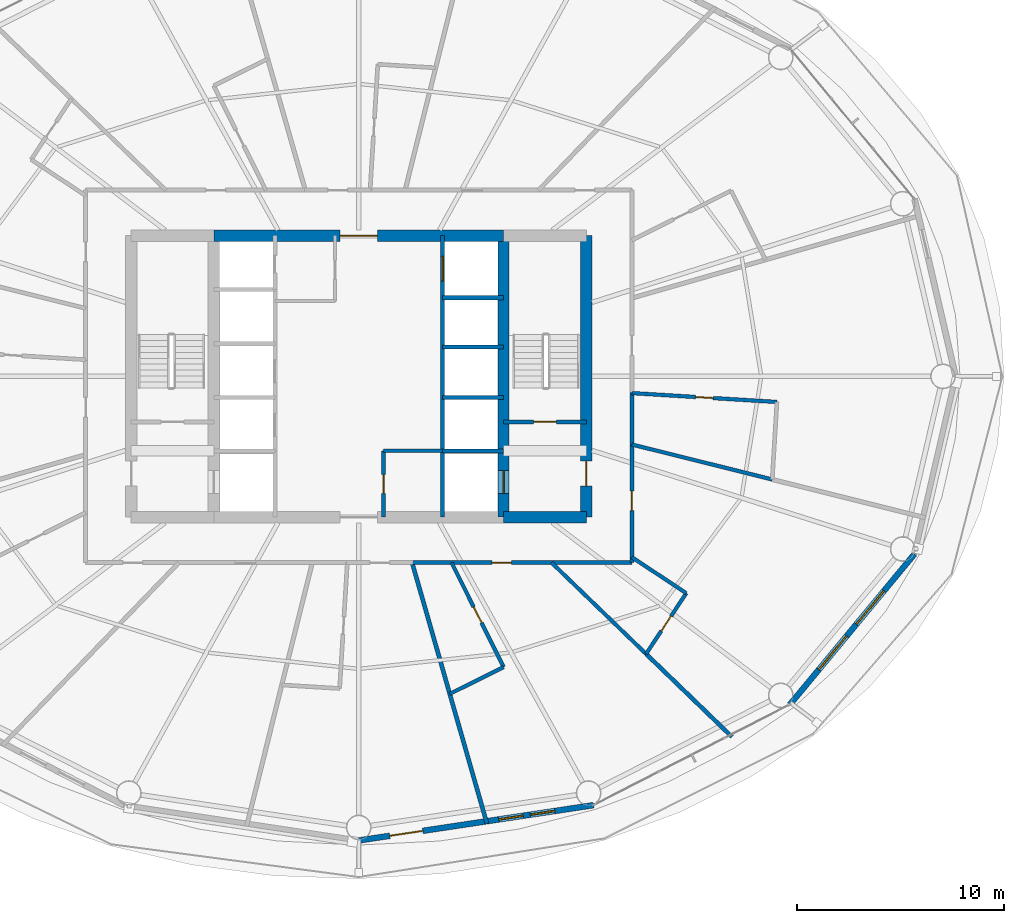
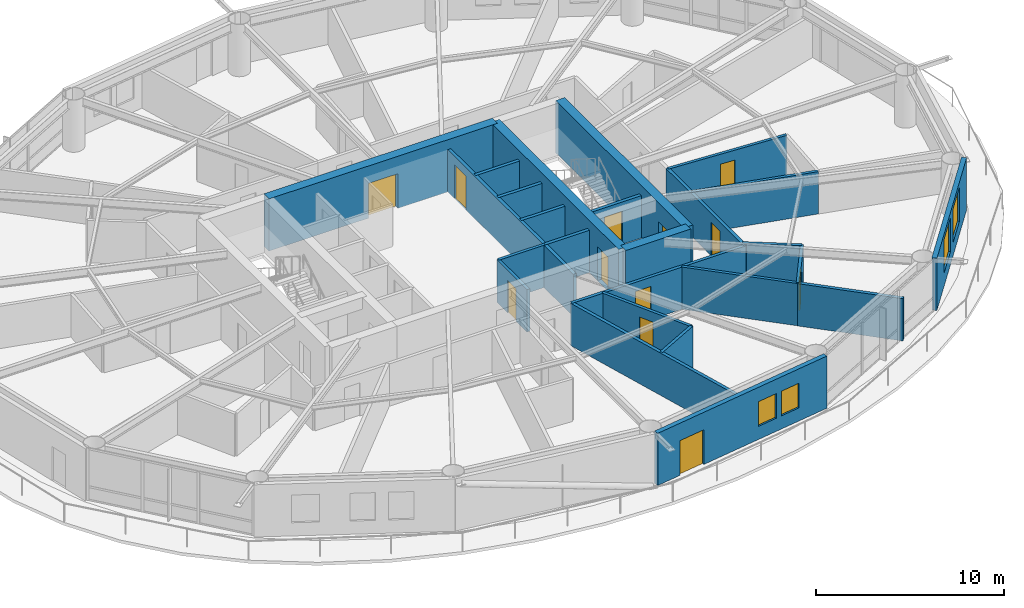
# One storey, part 19 of 24: 26 walls, 12 doors, 4 windows, 16 openings.
"""IFC4 building model written with IfcOpenShell, lengths in metres."""

from ifc_helpers import new_model, si_unit, direction, frame, frame_2d, origin, place, context, subcontext, project, spatial, rectangle, extrude, material, layer, layer_set, type_object, element, fill, save


model = new_model("IFC4")

# Units and contexts
model_context = context("Model", 3, precision=1e-05, world=origin(), true_north=direction((0.0, 1.0)))
body_context = subcontext(model_context, "Body", "Model", "MODEL_VIEW")
ifc_project = project(units=[si_unit("LENGTHUNIT", "METRE"), si_unit("AREAUNIT", "SQUARE_METRE"), si_unit("VOLUMEUNIT", "CUBIC_METRE"), si_unit("PLANEANGLEUNIT", "RADIAN"), si_unit("MASSUNIT", "GRAM", prefix="KILO")], contexts=[model_context])

# Site, building, storey
site_placement = place(None, origin())
site = spatial("IfcSite", under=ifc_project, at=site_placement, CompositionType="ELEMENT")
building_placement = place(site_placement, origin())
building = spatial("IfcBuilding", under=site, at=building_placement, Name="Sarneth Arch Tower", CompositionType="ELEMENT")
storey_placement = place(building_placement, frame((0.0, 0.0, 102.0)))
storey = spatial("IfcBuildingStorey", under=building, at=storey_placement, Name="L25", CompositionType="ELEMENT", Elevation=102.0)

# Wall
ifc_material_1 = material(Name="Concrete C60/75", Category="concrete")
ifc_layer_1 = layer(ifc_material_1, 0.550048828125)
ifc_layer_set_1 = layer_set([ifc_layer_1], Name="Concrete C60/75")
wall_type_1 = type_object("IfcWallType", Name="WALL-CORE-550", PredefinedType="SHEAR", material=ifc_layer_set_1)
wall_1_placement = place(storey_placement, frame((55.0, 35.199951171875, 0.0), z_axis=(0.0, 0.0, 1.0), x_axis=(1.0, 0.0, 0.0)))
element("IfcWall", 1, at=wall_1_placement, inside=storey, type_object=wall_type_1, Name="L25 Core shear wall S-E", PredefinedType="SHEAR", context=body_context, shape_type="SweptSolid", body=[
    extrude(rectangle(XDim=4.0, YDim=0.550048828125, at=frame_2d((2.0, 0.0))), origin(), (0.0, 0.0, 1.0), 3.3798828125),
])

# Wall, opening, door
wall_2_placement = place(storey_placement, frame((41.0, 48.800048828125, 0.0), z_axis=(0.0, 0.0, 1.0), x_axis=(1.0, 0.0, 0.0)))
wall_2 = element("IfcWall", 2, at=wall_2_placement, inside=storey, type_object=wall_type_1, Name="L25 Core shear wall N-M", PredefinedType="SHEAR", context=body_context, shape_type="SweptSolid", body=[
    extrude(rectangle(XDim=14.0, YDim=0.550048828125, at=frame_2d((7.0, 0.0))), origin(), (0.0, 0.0, 1.0), 3.3798828125),
])
opening_1_placement = place(wall_2_placement, frame((6.10009765625, 0.0, 0.0)))
opening_1 = element("IfcOpeningElement", 3, at=opening_1_placement, cuts=wall_2, Name="Opening FD-01", PredefinedType="OPENING", context=body_context, shape_type="SweptSolid", body=[
    extrude(rectangle(XDim=1.800048828125, YDim=2.25, at=frame_2d((0.89990234375, 1.125))), frame((0.0, 0.284912109375, 0.0), z_axis=(0.0, -1.0, 0.0), x_axis=(1.0, 0.0, 0.0)), (0.0, 0.0, 1.0), 0.570068359375),
])
ifc_material_2 = material(Name="Galvanised Steel S275 fire door set", Category="steel")
door_type_1 = type_object("IfcDoorType", Name="DR-FD90-1800", OperationType="DOUBLE_DOOR_SINGLE_SWING", PredefinedType="DOOR", material=ifc_material_2)
door_1_placement = place(opening_1_placement, origin())
door_1 = element("IfcDoor", 4, at=door_1_placement, inside=storey, type_object=door_type_1, Name="L25 Central lift lobby north door", OperationType="DOUBLE_DOOR_SINGLE_SWING", OverallHeight=2.25, OverallWidth=1.800048828125, PredefinedType="DOOR", context=body_context, shape_type="SweptSolid", body=[
    extrude(rectangle(XDim=1.800048828125, YDim=2.25, at=frame_2d((0.89990234375, 1.125))), frame((0.0, 0.02490234375, 0.0), z_axis=(0.0, -1.0, 0.0), x_axis=(1.0, 0.0, 0.0)), (0.0, 0.0, 1.0), 0.050048828125),
])
fill(opening_1, door_1)

wall_3_placement = place(storey_placement, frame((59.0, 35.199951171875, 0.0), z_axis=(0.0, 0.0, 1.0), x_axis=(0.0, 1.0, 0.0)))
wall_3 = element("IfcWall", 5, at=wall_3_placement, inside=storey, type_object=wall_type_1, Name="L25 Core shear wall E", PredefinedType="SHEAR", context=body_context, shape_type="SweptSolid", body=[
    extrude(rectangle(XDim=13.60009765625, YDim=0.550048828125, at=frame_2d((6.800048828125, 0.0))), origin(), (0.0, 0.0, 1.0), 3.3798828125),
])
opening_2_placement = place(wall_3_placement, frame((1.5, 0.0, 0.0)))
opening_2 = element("IfcOpeningElement", 6, at=opening_2_placement, cuts=wall_3, Name="Opening FD-02", PredefinedType="OPENING", context=body_context, shape_type="SweptSolid", body=[
    extrude(rectangle(XDim=1.199951171875, YDim=2.14990234375, at=frame_2d((0.60009765625, 1.074951171875))), frame((0.0, 0.284912109375, 0.0), z_axis=(0.0, -1.0, 0.0), x_axis=(1.0, 0.0, 0.0)), (0.0, 0.0, 1.0), 0.570068359375),
])
ifc_material_3 = material(Name="Galvanised Steel S275 fire door set", Category="steel")
door_type_2 = type_object("IfcDoorType", Name="DR-FD90-1200", OperationType="SINGLE_SWING_LEFT", PredefinedType="DOOR", material=ifc_material_3)
door_2_placement = place(opening_2_placement, origin())
door_2 = element("IfcDoor", 7, at=door_2_placement, inside=storey, type_object=door_type_2, Name="L25 Firefighting lobby 2 exit door", OperationType="SINGLE_SWING_RIGHT", OverallHeight=2.14990234375, OverallWidth=1.199951171875, PredefinedType="DOOR", context=body_context, shape_type="SweptSolid", body=[
    extrude(rectangle(XDim=1.199951171875, YDim=2.14990234375, at=frame_2d((0.60009765625, 1.074951171875))), frame((0.0, 0.02490234375, 0.0), z_axis=(0.0, -1.0, 0.0), x_axis=(1.0, 0.0, 0.0)), (0.0, 0.0, 1.0), 0.050048828125),
])
fill(opening_2, door_2)

wall_4_placement = place(storey_placement, frame((55.0, 35.199951171875, 0.0), z_axis=(0.0, 0.0, 1.0), x_axis=(0.0, 1.0, 0.0)))
wall_4 = element("IfcWall", 8, at=wall_4_placement, inside=storey, type_object=wall_type_1, Name="L25 Core shear wall WEB-E", PredefinedType="SHEAR", context=body_context, shape_type="SweptSolid", body=[
    extrude(rectangle(XDim=13.60009765625, YDim=0.550048828125, at=frame_2d((6.800048828125, 0.0))), origin(), (0.0, 0.0, 1.0), 3.3798828125),
])
opening_3_placement = place(wall_4_placement, frame((1.14990234375, 0.0, 0.0)))
opening_3 = element("IfcOpeningElement", 9, at=opening_3_placement, cuts=wall_4, Name="Opening LD-1", PredefinedType="OPENING", context=body_context, shape_type="SweptSolid", body=[
    extrude(rectangle(XDim=1.10009765625, YDim=2.199951171875, at=frame_2d((0.550048828125, 1.10009765625))), frame((0.0, 0.284912109375, 0.0), z_axis=(0.0, -1.0, 0.0), x_axis=(1.0, 0.0, 0.0)), (0.0, 0.0, 1.0), 0.570068359375),
])
ifc_material_4 = material(Name="Brushed Stainless Steel 304 lift landing door", Category="steel")
door_type_3 = type_object("IfcDoorType", Name="DR-LIFT-SLIDE-1100", OperationType="SLIDING_TO_LEFT", PredefinedType="DOOR", material=ifc_material_4)
door_3_placement = place(opening_3_placement, origin())
door_3 = element("IfcDoor", 10, at=door_3_placement, inside=storey, type_object=door_type_3, Name="L25 Firefighting lift landing door FL-2", OperationType="SLIDING_TO_RIGHT", OverallHeight=2.199951171875, OverallWidth=1.10009765625, PredefinedType="DOOR", context=body_context, shape_type="SweptSolid", body=[
    extrude(rectangle(XDim=1.10009765625, YDim=2.199951171875, at=frame_2d((0.550048828125, 1.10009765625))), frame((0.0, 0.02490234375, 0.0), z_axis=(0.0, -1.0, 0.0), x_axis=(1.0, 0.0, 0.0)), (0.0, 0.0, 1.0), 0.050048828125),
])
fill(opening_3, door_3)

ifc_material_5 = material(Name="Double steel-stud corridor fire wall", Category="steel")
ifc_layer_2 = layer(ifc_material_5, 0.18994140625)
ifc_layer_set_2 = layer_set([ifc_layer_2], Name="Double steel-stud corridor fire wall")
wall_type_2 = type_object("IfcWallType", Name="WALL-CORR-190", PredefinedType="PARTITIONING", material=ifc_layer_set_2)
wall_5_placement = place(storey_placement, frame((61.199951171875, 41.224853515625, 0.0), z_axis=(0.0, 0.0, 1.0), x_axis=(0.0, -1.0, 0.0)))
wall_5 = element("IfcWall", 11, at=wall_5_placement, inside=storey, type_object=wall_type_2, Name="L25 Interior partition W-L25-TP-022", PredefinedType="PARTITIONING", context=body_context, shape_type="SweptSolid", body=[
    extrude(rectangle(XDim=8.224853515625, YDim=0.18994140625, at=frame_2d((4.1123046875, 0.0))), origin(), (0.0, 0.0, 1.0), 2.739990234375),
])
opening_4_placement = place(wall_5_placement, frame((4.7666015625, 0.0, 0.0)))
opening_4 = element("IfcOpeningElement", 12, at=opening_4_placement, cuts=wall_5, Name="Opening FD-09", PredefinedType="OPENING", context=body_context, shape_type="SweptSolid", body=[
    extrude(rectangle(XDim=0.949951171875, YDim=2.14990234375, at=frame_2d((0.47509765625, 1.074951171875))), frame((0.0, 0.10498046875, 0.0), z_axis=(0.0, -1.0, 0.0), x_axis=(1.0, 0.0, 0.0)), (0.0, 0.0, 1.0), 0.2099609375),
])
ifc_material_6 = material(Name="Hardwood timber hotel entrance fire door", Category="wood")
door_type_4 = type_object("IfcDoorType", Name="DR-FD60-950", OperationType="SINGLE_SWING_RIGHT", PredefinedType="DOOR", material=ifc_material_6)
door_4_placement = place(opening_4_placement, origin())
door_4 = element("IfcDoor", 13, at=door_4_placement, inside=storey, type_object=door_type_4, Name="L25 Interior door DR-L25-KEY-11", OperationType="SINGLE_SWING_RIGHT", OverallHeight=2.14990234375, OverallWidth=0.949951171875, PredefinedType="DOOR", context=body_context, shape_type="SweptSolid", body=[
    extrude(rectangle(XDim=0.949951171875, YDim=2.14990234375, at=frame_2d((0.47509765625, 1.074951171875))), frame((0.0, 0.02490234375, 0.0), z_axis=(0.0, -1.0, 0.0), x_axis=(1.0, 0.0, 0.0)), (0.0, 0.0, 1.0), 0.050048828125),
])
fill(opening_4, door_4)

wall_6_placement = place(storey_placement, frame((61.199951171875, 33.0, 0.0), z_axis=(0.0, 0.0, 1.0), x_axis=(-1.0, 0.0, 0.0)))
wall_6 = element("IfcWall", 14, at=wall_6_placement, inside=storey, type_object=wall_type_2, Name="L25 Interior partition W-L25-TP-020", PredefinedType="PARTITIONING", context=body_context, shape_type="SweptSolid", body=[
    extrude(rectangle(XDim=10.652587890625, YDim=0.18994140625, at=frame_2d((5.326171875, 0.0))), origin(), (0.0, 0.0, 1.0), 2.739990234375),
])
opening_5_placement = place(wall_6_placement, frame((5.81640625, 0.0, 0.0)))
opening_5 = element("IfcOpeningElement", 15, at=opening_5_placement, cuts=wall_6, Name="Opening FD-09", PredefinedType="OPENING", context=body_context, shape_type="SweptSolid", body=[
    extrude(rectangle(XDim=0.949951171875, YDim=2.14990234375, at=frame_2d((0.47509765625, 1.074951171875))), frame((0.0, 0.10498046875, 0.0), z_axis=(0.0, -1.0, 0.0), x_axis=(1.0, 0.0, 0.0)), (0.0, 0.0, 1.0), 0.2099609375),
])
door_5_placement = place(opening_5_placement, origin())
door_5 = element("IfcDoor", 16, at=door_5_placement, inside=storey, type_object=door_type_4, Name="L25 Interior door DR-L25-KEY-10", OperationType="SINGLE_SWING_RIGHT", OverallHeight=2.14990234375, OverallWidth=0.949951171875, PredefinedType="DOOR", context=body_context, shape_type="SweptSolid", body=[
    extrude(rectangle(XDim=0.949951171875, YDim=2.14990234375, at=frame_2d((0.47509765625, 1.074951171875))), frame((0.0, 0.02490234375, 0.0), z_axis=(0.0, -1.0, 0.0), x_axis=(1.0, 0.0, 0.0)), (0.0, 0.0, 1.0), 0.050048828125),
])
fill(opening_5, door_5)

# Wall, openings, door, windows
ifc_material_7 = material(Name="Extruded terracotta rainscreen on Concrete C40/50 backing", Category="masonry")
ifc_layer_3 = layer(ifc_material_7, 0.280029296875)
ifc_layer_set_3 = layer_set([ifc_layer_3], Name="Extruded terracotta rainscreen on Concrete C40/50 backing")
wall_type_3 = type_object("IfcWallType", Name="WALL-EXT-TERRA-280", PredefinedType="SOLIDWALL", material=ifc_layer_set_3)
wall_7_placement = place(storey_placement, frame((48.0, 19.570068359375, 0.0), z_axis=(0.0, 0.0, 1.0), x_axis=(0.988877774656, 0.148730450117, 0.0)))
wall_7 = element("IfcWall", 17, at=wall_7_placement, inside=storey, type_object=wall_type_3, Name="L25 Terracotta perimeter wall 13", PredefinedType="SOLIDWALL", context=body_context, shape_type="SweptSolid", body=[
    extrude(rectangle(XDim=11.47900390625, YDim=0.280029296875, at=frame_2d((5.739501953125, 0.0))), origin(), (0.0, 0.0, 1.0), 3.3798828125),
])
opening_6_placement = place(wall_7_placement, frame((1.523681640625, 0.0, 0.0)))
opening_6 = element("IfcOpeningElement", 18, at=opening_6_placement, cuts=wall_7, Name="Opening BD-1", PredefinedType="OPENING", context=body_context, shape_type="SweptSolid", body=[
    extrude(rectangle(XDim=1.60009765625, YDim=2.25, at=frame_2d((0.800048828125, 1.125))), frame((0.0, 0.14990234375, 0.0), z_axis=(0.0, -1.0, 0.0), x_axis=(1.0, 0.0, 0.0)), (0.0, 0.0, 1.0), 0.300048828125),
])
opening_7_placement = place(wall_7_placement, frame((6.843017578125, 0.0, 0.85009765625)))
opening_7 = element("IfcOpeningElement", 19, at=opening_7_placement, cuts=wall_7, Name="Opening W-10", PredefinedType="OPENING", context=body_context, shape_type="SweptSolid", body=[
    extrude(rectangle(XDim=1.199951171875, YDim=1.60009765625, at=frame_2d((0.60009765625, 0.800048828125))), frame((0.0, 0.14990234375, 0.0), z_axis=(0.0, -1.0, 0.0), x_axis=(1.0, 0.0, 0.0)), (0.0, 0.0, 1.0), 0.300048828125),
])
opening_8_placement = place(wall_7_placement, frame((8.385009765625, 0.0, 0.85009765625)))
opening_8 = element("IfcOpeningElement", 20, at=opening_8_placement, cuts=wall_7, Name="Opening W-10", PredefinedType="OPENING", context=body_context, shape_type="SweptSolid", body=[
    extrude(rectangle(XDim=1.199951171875, YDim=1.60009765625, at=frame_2d((0.60009765625, 0.800048828125))), frame((0.0, 0.14990234375, 0.0), z_axis=(0.0, -1.0, 0.0), x_axis=(1.0, 0.0, 0.0)), (0.0, 0.0, 1.0), 0.300048828125),
])
ifc_material_8 = material(Name="Thermally broken Aluminium 6063-T6 and laminated safety glass", Category="aluminium")
door_type_5 = type_object("IfcDoorType", Name="DR-BALC-GLZ-1600", OperationType="DOUBLE_DOOR_SINGLE_SWING", PredefinedType="DOOR", material=ifc_material_8)
door_6_placement = place(opening_6_placement, origin())
door_6 = element("IfcDoor", 21, at=door_6_placement, inside=storey, type_object=door_type_5, Name="L25 Balcony glazed door 13", OperationType="DOUBLE_DOOR_SINGLE_SWING", OverallHeight=2.25, OverallWidth=1.60009765625, PredefinedType="DOOR", context=body_context, shape_type="SweptSolid", body=[
    extrude(rectangle(XDim=1.60009765625, YDim=2.25, at=frame_2d((0.800048828125, 1.125))), frame((0.0, 0.02490234375, 0.0), z_axis=(0.0, -1.0, 0.0), x_axis=(1.0, 0.0, 0.0)), (0.0, 0.0, 1.0), 0.050048828125),
])
fill(opening_6, door_6)
ifc_material_9 = material(Name="Thermally broken Aluminium 6063-T6 and low-e laminated IGU", Category="aluminium")
window_type_1 = type_object("IfcWindowType", Name="WIN-TWR-1200x1600", PartitioningType="SINGLE_PANEL", PredefinedType="WINDOW", material=ifc_material_9)
window_1_placement = place(opening_7_placement, origin())
window_1 = element("IfcWindow", 22, at=window_1_placement, inside=storey, type_object=window_type_1, Name="L25 Exterior window 13A", OverallHeight=1.60009765625, OverallWidth=1.199951171875, PartitioningType="SINGLE_PANEL", PredefinedType="WINDOW", context=body_context, shape_type="SweptSolid", body=[
    extrude(rectangle(XDim=1.199951171875, YDim=1.60009765625, at=frame_2d((0.60009765625, 0.800048828125))), frame((0.0, 0.030029296875, 0.0), z_axis=(0.0, -1.0, 0.0), x_axis=(1.0, 0.0, 0.0)), (0.0, 0.0, 1.0), 0.06005859375),
])
fill(opening_7, window_1)
window_2_placement = place(opening_8_placement, origin())
window_2 = element("IfcWindow", 23, at=window_2_placement, inside=storey, type_object=window_type_1, Name="L25 Exterior window 13B", OverallHeight=1.60009765625, OverallWidth=1.199951171875, PartitioningType="SINGLE_PANEL", PredefinedType="WINDOW", context=body_context, shape_type="SweptSolid", body=[
    extrude(rectangle(XDim=1.199951171875, YDim=1.60009765625, at=frame_2d((0.60009765625, 0.800048828125))), frame((0.0, 0.030029296875, 0.0), z_axis=(0.0, -1.0, 0.0), x_axis=(1.0, 0.0, 0.0)), (0.0, 0.0, 1.0), 0.06005859375),
])
fill(opening_8, window_2)

# Wall, openings, windows
wall_8_placement = place(storey_placement, frame((68.840087890625, 26.1396484375, 0.0), z_axis=(0.0, 0.0, 1.0), x_axis=(0.637505817448, 0.770445541696, 0.0)))
wall_8 = element("IfcWall", 24, at=wall_8_placement, inside=storey, type_object=wall_type_3, Name="L25 Terracotta perimeter wall 15", PredefinedType="SOLIDWALL", context=body_context, shape_type="SweptSolid", body=[
    extrude(rectangle(XDim=9.445068359375, YDim=0.280029296875, at=frame_2d((4.72265625, 0.0))), origin(), (0.0, 0.0, 1.0), 3.3798828125),
])
opening_9_placement = place(wall_8_placement, frame((2.196533203125, 0.0, 0.85009765625)))
opening_9 = element("IfcOpeningElement", 25, at=opening_9_placement, cuts=wall_8, Name="Opening W-03", PredefinedType="OPENING", context=body_context, shape_type="SweptSolid", body=[
    extrude(rectangle(XDim=2.10009765625, YDim=2.199951171875, at=frame_2d((1.050048828125, 1.10009765625))), frame((0.0, 0.14990234375, 0.0), z_axis=(0.0, -1.0, 0.0), x_axis=(1.0, 0.0, 0.0)), (0.0, 0.0, 1.0), 0.300048828125),
])
opening_10_placement = place(wall_8_placement, frame((5.031982421875, 0.0, 0.85009765625)))
opening_10 = element("IfcOpeningElement", 26, at=opening_10_placement, cuts=wall_8, Name="Opening W-03", PredefinedType="OPENING", context=body_context, shape_type="SweptSolid", body=[
    extrude(rectangle(XDim=2.10009765625, YDim=2.199951171875, at=frame_2d((1.050048828125, 1.10009765625))), frame((0.0, 0.14990234375, 0.0), z_axis=(0.0, -1.0, 0.0), x_axis=(1.0, 0.0, 0.0)), (0.0, 0.0, 1.0), 0.300048828125),
])
ifc_material_10 = material(Name="Thermally broken Aluminium 6063-T6 and low-e laminated IGU", Category="aluminium")
window_type_2 = type_object("IfcWindowType", Name="WIN-TWR-2100x2200", PartitioningType="DOUBLE_PANEL_VERTICAL", PredefinedType="WINDOW", material=ifc_material_10)
window_3_placement = place(opening_9_placement, origin())
window_3 = element("IfcWindow", 27, at=window_3_placement, inside=storey, type_object=window_type_2, Name="L25 Exterior window 15A", OverallHeight=2.199951171875, OverallWidth=2.10009765625, PartitioningType="SINGLE_PANEL", PredefinedType="WINDOW", context=body_context, shape_type="SweptSolid", body=[
    extrude(rectangle(XDim=2.10009765625, YDim=2.199951171875, at=frame_2d((1.050048828125, 1.10009765625))), frame((0.0, 0.030029296875, 0.0), z_axis=(0.0, -1.0, 0.0), x_axis=(1.0, 0.0, 0.0)), (0.0, 0.0, 1.0), 0.06005859375),
])
fill(opening_9, window_3)
window_4_placement = place(opening_10_placement, origin())
window_4 = element("IfcWindow", 28, at=window_4_placement, inside=storey, type_object=window_type_2, Name="L25 Exterior window 15B", OverallHeight=2.199951171875, OverallWidth=2.10009765625, PartitioningType="SINGLE_PANEL", PredefinedType="WINDOW", context=body_context, shape_type="SweptSolid", body=[
    extrude(rectangle(XDim=2.10009765625, YDim=2.199951171875, at=frame_2d((1.050048828125, 1.10009765625))), frame((0.0, 0.030029296875, 0.0), z_axis=(0.0, -1.0, 0.0), x_axis=(1.0, 0.0, 0.0)), (0.0, 0.0, 1.0), 0.06005859375),
])
fill(opening_10, window_4)

# Wall
ifc_material_11 = material(Name="Moisture-resistant plumbing chase wall", Category="gypsum")
ifc_layer_4 = layer(ifc_material_11, 0.179931640625)
ifc_layer_set_4 = layer_set([ifc_layer_4], Name="Moisture-resistant plumbing chase wall")
wall_type_4 = type_object("IfcWallType", Name="WALL-PLUMB-180", PredefinedType="PLUMBINGWALL", material=ifc_layer_set_4)
wall_9_placement = place(storey_placement, frame((49.199951171875, 38.39990234375, 0.0), z_axis=(0.0, 0.0, 1.0), x_axis=(1.0, 0.0, 0.0)))
element("IfcWall", 29, at=wall_9_placement, inside=storey, type_object=wall_type_4, Name="L25 Interior partition W-L25-AWC-N", PredefinedType="PLUMBINGWALL", context=body_context, shape_type="SweptSolid", body=[
    extrude(rectangle(XDim=2.85009765625, YDim=0.179931640625, at=frame_2d((1.425048828125, 0.0))), origin(), (0.0, 0.0, 1.0), 2.739990234375),
])

# Wall, opening, door
wall_10_placement = place(storey_placement, frame((49.199951171875, 35.199951171875, 0.0), z_axis=(0.0, 0.0, 1.0), x_axis=(0.0, 1.0, 0.0)))
wall_10 = element("IfcWall", 30, at=wall_10_placement, inside=storey, type_object=wall_type_4, Name="L25 Interior partition W-L25-AWC-W", PredefinedType="PLUMBINGWALL", context=body_context, shape_type="SweptSolid", body=[
    extrude(rectangle(XDim=3.199951171875, YDim=0.179931640625, at=frame_2d((1.60009765625, 0.0))), origin(), (0.0, 0.0, 1.0), 2.739990234375),
])
opening_11_placement = place(wall_10_placement, frame((1.14990234375, 0.0, 0.0)))
opening_11 = element("IfcOpeningElement", 31, at=opening_11_placement, cuts=wall_10, Name="Opening ID-01", PredefinedType="OPENING", context=body_context, shape_type="SweptSolid", body=[
    extrude(rectangle(XDim=0.89990234375, YDim=2.10009765625, at=frame_2d((0.449951171875, 1.050048828125))), frame((0.0, 0.099853515625, 0.0), z_axis=(0.0, -1.0, 0.0), x_axis=(1.0, 0.0, 0.0)), (0.0, 0.0, 1.0), 0.199951171875),
])
ifc_material_12 = material(Name="Engineered hardwood flush door", Category="wood")
door_type_6 = type_object("IfcDoorType", Name="DR-INT-900", OperationType="SINGLE_SWING_LEFT", PredefinedType="DOOR", material=ifc_material_12)
door_7_placement = place(opening_11_placement, origin())
door_7 = element("IfcDoor", 32, at=door_7_placement, inside=storey, type_object=door_type_6, Name="L25 Interior door DR-L25-AWC", OperationType="SINGLE_SWING_RIGHT", OverallHeight=2.10009765625, OverallWidth=0.89990234375, PredefinedType="DOOR", context=body_context, shape_type="SweptSolid", body=[
    extrude(rectangle(XDim=0.89990234375, YDim=2.10009765625, at=frame_2d((0.449951171875, 1.050048828125))), frame((0.0, 0.02490234375, 0.0), z_axis=(0.0, -1.0, 0.0), x_axis=(1.0, 0.0, 0.0)), (0.0, 0.0, 1.0), 0.050048828125),
])
fill(opening_11, door_7)

wall_11_placement = place(storey_placement, frame((61.199951171875, 41.192626953125, 0.0), z_axis=(0.0, 0.0, 1.0), x_axis=(0.998134708281, -0.061050013314, 0.0)))
wall_11 = element("IfcWall", 33, at=wall_11_placement, inside=storey, type_object=wall_type_4, Name="L25 Interior partition W-L25-TP-067", PredefinedType="PLUMBINGWALL", context=body_context, shape_type="SweptSolid", body=[
    extrude(rectangle(XDim=7.0263671875, YDim=0.179931640625, at=frame_2d((3.51318359375, 0.0))), origin(), (0.0, 0.0, 1.0), 2.739990234375),
])
opening_12_placement = place(wall_11_placement, frame((3.088134765625, 0.0, 0.0)))
opening_12 = element("IfcOpeningElement", 34, at=opening_12_placement, cuts=wall_11, Name="Opening ID-02", PredefinedType="OPENING", context=body_context, shape_type="SweptSolid", body=[
    extrude(rectangle(XDim=0.85009765625, YDim=2.10009765625, at=frame_2d((0.425048828125, 1.050048828125))), frame((0.0, 0.099853515625, 0.0), z_axis=(0.0, -1.0, 0.0), x_axis=(1.0, 0.0, 0.0)), (0.0, 0.0, 1.0), 0.199951171875),
])
ifc_material_13 = material(Name="Moisture-resistant bathroom timber door", Category="wood")
door_type_7 = type_object("IfcDoorType", Name="DR-INT-850", OperationType="SINGLE_SWING_RIGHT", PredefinedType="DOOR", material=ifc_material_13)
door_8_placement = place(opening_12_placement, origin())
door_8 = element("IfcDoor", 35, at=door_8_placement, inside=storey, type_object=door_type_7, Name="L25 Interior door DR-L25-ENS-12", OperationType="SINGLE_SWING_LEFT", OverallHeight=2.10009765625, OverallWidth=0.85009765625, PredefinedType="DOOR", context=body_context, shape_type="SweptSolid", body=[
    extrude(rectangle(XDim=0.85009765625, YDim=2.10009765625, at=frame_2d((0.425048828125, 1.050048828125))), frame((0.0, 0.02490234375, 0.0), z_axis=(0.0, -1.0, 0.0), x_axis=(1.0, 0.0, 0.0)), (0.0, 0.0, 1.0), 0.050048828125),
])
fill(opening_12, door_8)

# Walls
wall_12_placement = place(storey_placement, frame((67.984130859375, 37.017333984375, 0.0), z_axis=(0.0, 0.0, 1.0), x_axis=(-0.970290206094, 0.241944034764, 0.0)))
element("IfcWall", 36, at=wall_12_placement, inside=storey, type_object=wall_type_4, Name="L25 Interior partition W-L25-TP-066", PredefinedType="PLUMBINGWALL", context=body_context, shape_type="SweptSolid", body=[
    extrude(rectangle(XDim=6.991943359375, YDim=0.179931640625, at=frame_2d((3.49609375, 0.0))), origin(), (0.0, 0.0, 1.0), 2.739990234375),
])
wall_13_placement = place(storey_placement, frame((61.888916015625, 28.58740234375, 0.0), z_axis=(0.0, 0.0, 1.0), x_axis=(-0.719318009274, 0.694680935059, 0.0)))
element("IfcWall", 37, at=wall_13_placement, inside=storey, type_object=wall_type_4, Name="L25 Interior partition W-L25-TP-062", PredefinedType="PLUMBINGWALL", context=body_context, shape_type="SweptSolid", body=[
    extrude(rectangle(XDim=6.35205078125, YDim=0.179931640625, at=frame_2d((3.176025390625, 0.0))), origin(), (0.0, 0.0, 1.0), 2.739990234375),
])

# Wall, opening, door
wall_14_placement = place(storey_placement, frame((55.00341796875, 27.953125, 0.0), z_axis=(0.0, 0.0, 1.0), x_axis=(-0.446174269641, 0.894946099556, 0.0)))
wall_14 = element("IfcWall", 38, at=wall_14_placement, inside=storey, type_object=wall_type_4, Name="L25 Interior partition W-L25-TP-060", PredefinedType="PLUMBINGWALL", context=body_context, shape_type="SweptSolid", body=[
    extrude(rectangle(XDim=5.639404296875, YDim=0.179931640625, at=frame_2d((2.81982421875, 0.0))), origin(), (0.0, 0.0, 1.0), 2.739990234375),
])
opening_13_placement = place(wall_14_placement, frame((2.394775390625, 0.0, 0.0)))
opening_13 = element("IfcOpeningElement", 39, at=opening_13_placement, cuts=wall_14, Name="Opening ID-02", PredefinedType="OPENING", context=body_context, shape_type="SweptSolid", body=[
    extrude(rectangle(XDim=0.85009765625, YDim=2.10009765625, at=frame_2d((0.425048828125, 1.050048828125))), frame((0.0, 0.099853515625, 0.0), z_axis=(0.0, -1.0, 0.0), x_axis=(1.0, 0.0, 0.0)), (0.0, 0.0, 1.0), 0.199951171875),
])
door_9_placement = place(opening_13_placement, origin())
door_9 = element("IfcDoor", 40, at=door_9_placement, inside=storey, type_object=door_type_7, Name="L25 Interior door DR-L25-ENS-10", OperationType="SINGLE_SWING_LEFT", OverallHeight=2.10009765625, OverallWidth=0.85009765625, PredefinedType="DOOR", context=body_context, shape_type="SweptSolid", body=[
    extrude(rectangle(XDim=0.85009765625, YDim=2.10009765625, at=frame_2d((0.425048828125, 1.050048828125))), frame((0.0, 0.02490234375, 0.0), z_axis=(0.0, -1.0, 0.0), x_axis=(1.0, 0.0, 0.0)), (0.0, 0.0, 1.0), 0.050048828125),
])
fill(opening_13, door_9)

wall_15_placement = place(storey_placement, frame((63.8310546875, 31.521484375, 0.0), z_axis=(0.0, 0.0, 1.0), x_axis=(-0.551959146688, -0.833871153349, 0.0)))
wall_15 = element("IfcWall", 41, at=wall_15_placement, inside=storey, type_object=wall_type_4, Name="L25 Interior partition W-L25-TP-064", PredefinedType="PLUMBINGWALL", context=body_context, shape_type="SweptSolid", body=[
    extrude(rectangle(XDim=3.5185546875, YDim=0.179931640625, at=frame_2d((1.75927734375, 0.0))), origin(), (0.0, 0.0, 1.0), 2.739990234375),
])
opening_14_placement = place(wall_15_placement, frame((1.334228515625, 0.0, 0.0)))
opening_14 = element("IfcOpeningElement", 42, at=opening_14_placement, cuts=wall_15, Name="Opening ID-02", PredefinedType="OPENING", context=body_context, shape_type="SweptSolid", body=[
    extrude(rectangle(XDim=0.85009765625, YDim=2.10009765625, at=frame_2d((0.425048828125, 1.050048828125))), frame((0.0, 0.099853515625, 0.0), z_axis=(0.0, -1.0, 0.0), x_axis=(1.0, 0.0, 0.0)), (0.0, 0.0, 1.0), 0.199951171875),
])
door_10_placement = place(opening_14_placement, origin())
door_10 = element("IfcDoor", 43, at=door_10_placement, inside=storey, type_object=door_type_7, Name="L25 Interior door DR-L25-ENS-11", OperationType="SINGLE_SWING_LEFT", OverallHeight=2.10009765625, OverallWidth=0.85009765625, PredefinedType="DOOR", context=body_context, shape_type="SweptSolid", body=[
    extrude(rectangle(XDim=0.85009765625, YDim=2.10009765625, at=frame_2d((0.425048828125, 1.050048828125))), frame((0.0, 0.02490234375, 0.0), z_axis=(0.0, -1.0, 0.0), x_axis=(1.0, 0.0, 0.0)), (0.0, 0.0, 1.0), 0.050048828125),
])
fill(opening_14, door_10)

# Walls
wall_16_placement = place(storey_placement, frame((61.199951171875, 33.26318359375, 0.0), z_axis=(0.0, 0.0, 1.0), x_axis=(0.833855219674, -0.5519832177, 0.0)))
element("IfcWall", 44, at=wall_16_placement, inside=storey, type_object=wall_type_4, Name="L25 Interior partition W-L25-TP-063", PredefinedType="PLUMBINGWALL", context=body_context, shape_type="SweptSolid", body=[
    extrude(rectangle(XDim=3.1552734375, YDim=0.179931640625, at=frame_2d((1.57763671875, 0.0))), origin(), (0.0, 0.0, 1.0), 2.739990234375),
])
wall_17_placement = place(storey_placement, frame((52.400146484375, 26.655029296875, 0.0), z_axis=(0.0, 0.0, 1.0), x_axis=(0.894913437672, 0.446239777558, 0.0)))
element("IfcWall", 45, at=wall_17_placement, inside=storey, type_object=wall_type_4, Name="L25 Interior partition W-L25-TP-059", PredefinedType="PLUMBINGWALL", context=body_context, shape_type="SweptSolid", body=[
    extrude(rectangle(XDim=2.908935546875, YDim=0.179931640625, at=frame_2d((1.45458984375, 0.0))), origin(), (0.0, 0.0, 1.0), 2.739990234375),
])

# Wall, opening, door
ifc_material_14 = material(Name="Aerated concrete blockwork C25/30", Category="masonry")
ifc_layer_5 = layer(ifc_material_14, 0.199951171875)
ifc_layer_set_5 = layer_set([ifc_layer_5], Name="Aerated concrete blockwork C25/30")
wall_type_5 = type_object("IfcWallType", Name="WALL-SHAFT-200", PredefinedType="SOLIDWALL", material=ifc_layer_set_5)
wall_18_placement = place(storey_placement, frame((55.0, 39.800048828125, 0.0), z_axis=(0.0, 0.0, 1.0), x_axis=(1.0, 0.0, 0.0)))
wall_18 = element("IfcWall", 46, at=wall_18_placement, inside=storey, type_object=wall_type_5, Name="L25 Interior partition W-L25-ST2-S", PredefinedType="SOLIDWALL", context=body_context, shape_type="SweptSolid", body=[
    extrude(rectangle(XDim=4.0, YDim=0.199951171875, at=frame_2d((2.0, 0.0))), origin(), (0.0, 0.0, 1.0), 2.739990234375),
])
opening_15_placement = place(wall_18_placement, frame((1.449951171875, 0.0, 0.0)))
opening_15 = element("IfcOpeningElement", 47, at=opening_15_placement, cuts=wall_18, Name="Opening FD-03", PredefinedType="OPENING", context=body_context, shape_type="SweptSolid", body=[
    extrude(rectangle(XDim=1.10009765625, YDim=2.14990234375, at=frame_2d((0.550048828125, 1.074951171875))), frame((0.0, 0.10986328125, 0.0), z_axis=(0.0, -1.0, 0.0), x_axis=(1.0, 0.0, 0.0)), (0.0, 0.0, 1.0), 0.219970703125),
])
ifc_material_15 = material(Name="Galvanised Steel S275 fire door set", Category="steel")
door_type_8 = type_object("IfcDoorType", Name="DR-FD90-1100", OperationType="SINGLE_SWING_LEFT", PredefinedType="DOOR", material=ifc_material_15)
door_11_placement = place(opening_15_placement, origin())
door_11 = element("IfcDoor", 48, at=door_11_placement, inside=storey, type_object=door_type_8, Name="L25 Interior door DR-L25-ST2", OperationType="SINGLE_SWING_RIGHT", OverallHeight=2.14990234375, OverallWidth=1.10009765625, PredefinedType="DOOR", context=body_context, shape_type="SweptSolid", body=[
    extrude(rectangle(XDim=1.10009765625, YDim=2.14990234375, at=frame_2d((0.550048828125, 1.074951171875))), frame((0.0, 0.02490234375, 0.0), z_axis=(0.0, -1.0, 0.0), x_axis=(1.0, 0.0, 0.0)), (0.0, 0.0, 1.0), 0.050048828125),
])
fill(opening_15, door_11)

# Walls
wall_19_placement = place(storey_placement, frame((52.050048828125, 35.199951171875, 0.0), z_axis=(0.0, 0.0, 1.0), x_axis=(0.0, 1.0, 0.0)))
element("IfcWall", 49, at=wall_19_placement, inside=storey, type_object=wall_type_5, Name="L25 Interior partition W-L25-FL2-W", PredefinedType="SOLIDWALL", context=body_context, shape_type="SweptSolid", body=[
    extrude(rectangle(XDim=3.199951171875, YDim=0.199951171875, at=frame_2d((1.60009765625, 0.0))), origin(), (0.0, 0.0, 1.0), 2.739990234375),
])
wall_20_placement = place(storey_placement, frame((52.050048828125, 38.39990234375, 0.0), z_axis=(0.0, 0.0, 1.0), x_axis=(1.0, 0.0, 0.0)))
element("IfcWall", 50, at=wall_20_placement, inside=storey, type_object=wall_type_5, Name="L25 Interior partition W-L25-FL2-N", PredefinedType="SOLIDWALL", context=body_context, shape_type="SweptSolid", body=[
    extrude(rectangle(XDim=2.949951171875, YDim=0.199951171875, at=frame_2d((1.47509765625, 0.0))), origin(), (0.0, 0.0, 1.0), 2.739990234375),
])

# Wall, opening, door
wall_21_placement = place(storey_placement, frame((52.050048828125, 38.39990234375, 0.0), z_axis=(0.0, 0.0, 1.0), x_axis=(0.0, 1.0, 0.0)))
wall_21 = element("IfcWall", 51, at=wall_21_placement, inside=storey, type_object=wall_type_5, Name="L25 Interior partition W-L25-EASTBANK-FRONT", PredefinedType="SOLIDWALL", context=body_context, shape_type="SweptSolid", body=[
    extrude(rectangle(XDim=10.400146484375, YDim=0.199951171875, at=frame_2d((5.2001953125, 0.0))), origin(), (0.0, 0.0, 1.0), 2.739990234375),
])
opening_16_placement = place(wall_21_placement, frame((8.199951171875, 0.0, 0.0)))
opening_16 = element("IfcOpeningElement", 52, at=opening_16_placement, cuts=wall_21, Name="Opening LD-2", PredefinedType="OPENING", context=body_context, shape_type="SweptSolid", body=[
    extrude(rectangle(XDim=1.199951171875, YDim=2.199951171875, at=frame_2d((0.60009765625, 1.10009765625))), frame((0.0, 0.10986328125, 0.0), z_axis=(0.0, -1.0, 0.0), x_axis=(1.0, 0.0, 0.0)), (0.0, 0.0, 1.0), 0.219970703125),
])
ifc_material_16 = material(Name="Brushed Stainless Steel 304 service lift door", Category="steel")
door_type_9 = type_object("IfcDoorType", Name="DR-LIFT-SLIDE-1200", OperationType="SLIDING_TO_RIGHT", PredefinedType="DOOR", material=ifc_material_16)
door_12_placement = place(opening_16_placement, origin())
door_12 = element("IfcDoor", 53, at=door_12_placement, inside=storey, type_object=door_type_9, Name="L25 Lift landing door DR-L25-LD-SL1", OperationType="SLIDING_TO_RIGHT", OverallHeight=2.199951171875, OverallWidth=1.199951171875, PredefinedType="DOOR", context=body_context, shape_type="SweptSolid", body=[
    extrude(rectangle(XDim=1.199951171875, YDim=2.199951171875, at=frame_2d((0.60009765625, 1.10009765625))), frame((0.0, 0.02490234375, 0.0), z_axis=(0.0, -1.0, 0.0), x_axis=(1.0, 0.0, 0.0)), (0.0, 0.0, 1.0), 0.050048828125),
])
fill(opening_16, door_12)

# Walls
for number, where, z_axis, x_axis, name in (
    (54, (52.050048828125, 40.97998046875, 0.0), (0.0, 0.0, 1.0), (1.0, 0.0, 0.0), "L25 Interior partition W-L25-EB-DIV-4098"),
    (55, (52.050048828125, 43.419921875, 0.0), (0.0, 0.0, 1.0), (1.0, 0.0, 0.0), "L25 Interior partition W-L25-EB-DIV-4342"),
    (56, (52.050048828125, 45.800048828125, 0.0), (0.0, 0.0, 1.0), (1.0, 0.0, 0.0), "L25 Interior partition W-L25-EB-DIV-4580"),
):
    element("IfcWall", number, at=place(storey_placement, frame(where, z_axis=z_axis, x_axis=x_axis)), inside=storey, type_object=wall_type_5, Name=name, PredefinedType="SOLIDWALL", context=body_context, shape_type="SweptSolid", body=[
        extrude(rectangle(XDim=2.949951171875, YDim=0.199951171875, at=frame_2d((1.47509765625, 0.0))), origin(), (0.0, 0.0, 1.0), 2.739990234375),
    ])
ifc_material_17 = material(Name="Double steel-stud acoustic drywall", Category="steel")
ifc_layer_6 = layer(ifc_material_17, 0.199951171875)
ifc_layer_set_6 = layer_set([ifc_layer_6], Name="Double steel-stud acoustic drywall")
wall_type_6 = type_object("IfcWallType", Name="WALL-UNIT-200", PredefinedType="PARTITIONING", material=ifc_layer_set_6)
wall_22_placement = place(storey_placement, frame((50.580810546875, 33.0, 0.0), z_axis=(0.0, 0.0, 1.0), x_axis=(0.275639731411, -0.961261014745, 0.0)))
element("IfcWall", 57, at=wall_22_placement, inside=storey, type_object=wall_type_6, Name="L25 Interior partition W-L25-TP-058", PredefinedType="PARTITIONING", context=body_context, shape_type="SweptSolid", body=[
    extrude(rectangle(XDim=13.12646484375, YDim=0.199951171875, at=frame_2d((6.563232421875, 0.0))), origin(), (0.0, 0.0, 1.0), 2.739990234375),
])
wall_23_placement = place(storey_placement, frame((66.041259765625, 24.577880859375, 0.0), z_axis=(0.0, 0.0, 1.0), x_axis=(-0.719370121813, 0.694626970281, 0.0)))
element("IfcWall", 58, at=wall_23_placement, inside=storey, type_object=wall_type_6, Name="L25 Interior partition W-L25-TP-061", PredefinedType="PARTITIONING", context=body_context, shape_type="SweptSolid", body=[
    extrude(rectangle(XDim=5.772216796875, YDim=0.199951171875, at=frame_2d((2.88623046875, 0.0))), origin(), (0.0, 0.0, 1.0), 2.739990234375),
])

save(model, "model.ifc")
